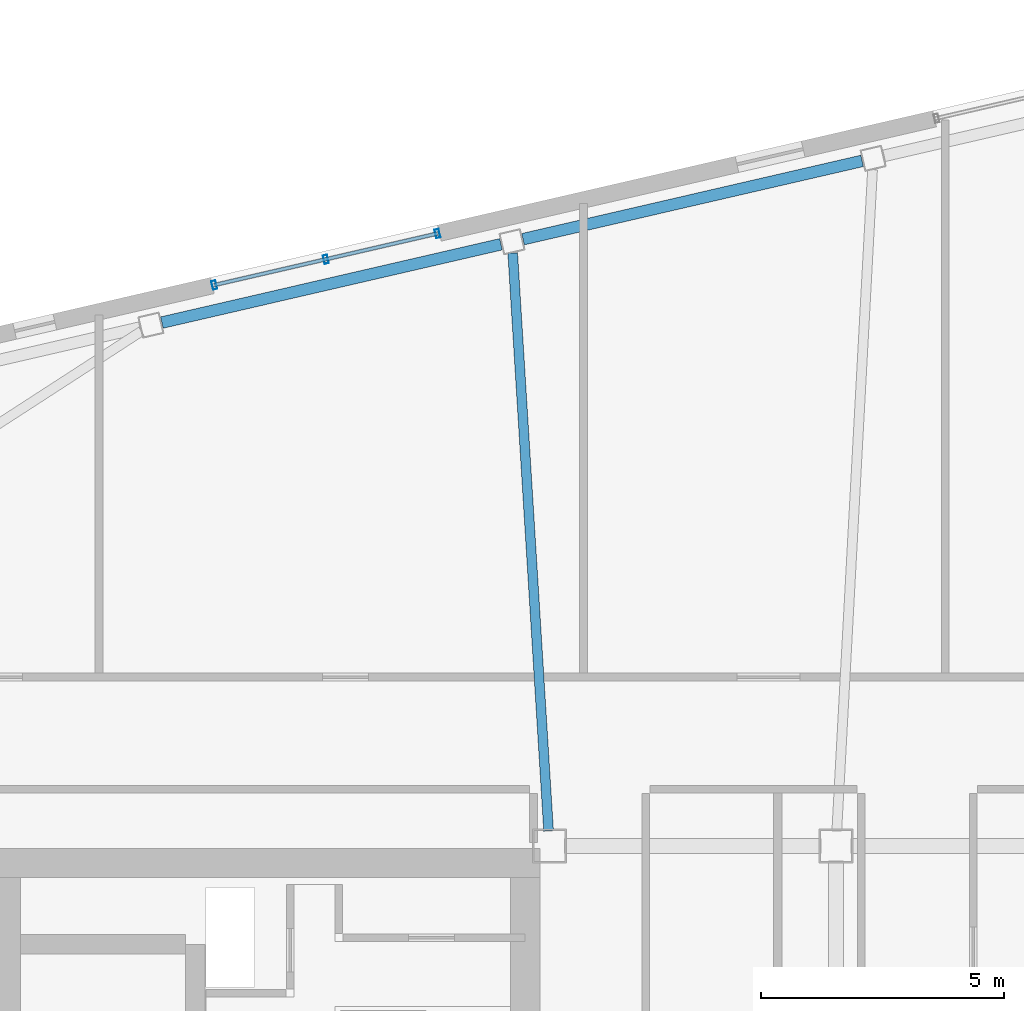
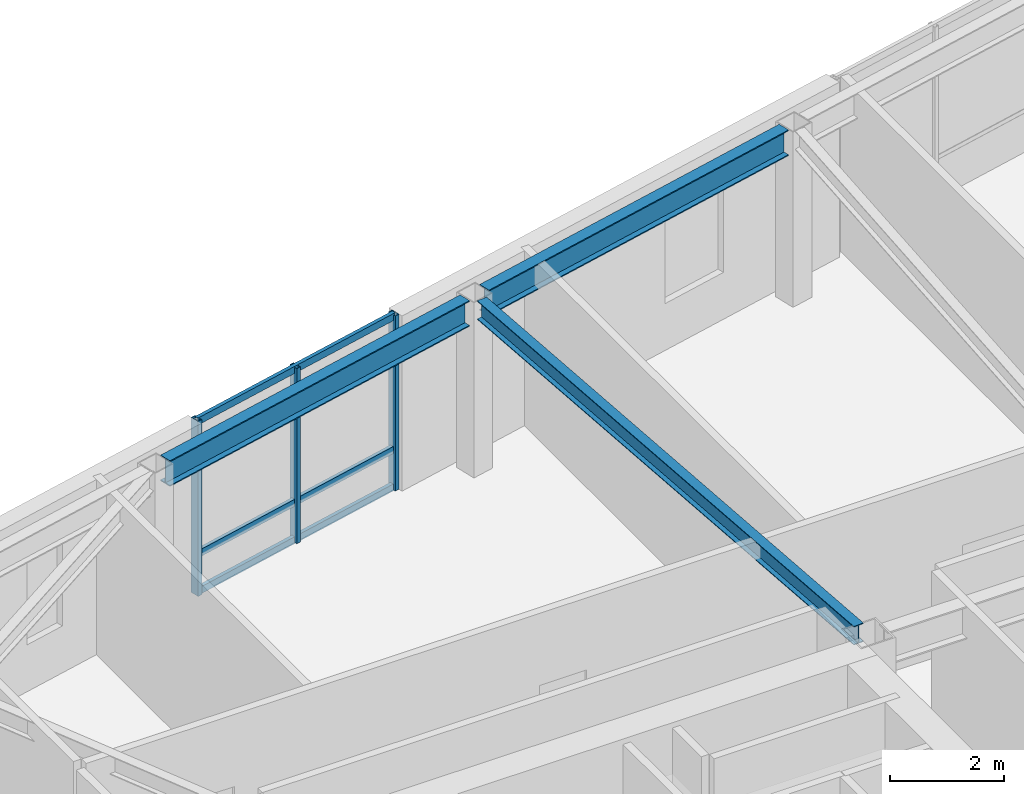
# One storey, part 11 of 23: 6 members, 3 beams, 1 element without a shape of its own.
"""IFC4 building model written with IfcOpenShell, lengths in metres."""

from ifc_helpers import new_model, si_unit, direction, frame, origin, origin_2d, place, context, subcontext, project, spatial, hollow_rectangle, i_section, extrude, material, layer, layer_set, material_profile, profile_set, type_object, element, aggregate, save


model = new_model("IFC4")

# Units and contexts
model_context = context("Model", 3, precision=1e-05, world=origin(), true_north=direction((0.0, 1.0)))
body_context = subcontext(model_context, "Body", "Model", "MODEL_VIEW")
ifc_project = project(units=[si_unit("LENGTHUNIT", "METRE"), si_unit("AREAUNIT", "SQUARE_METRE"), si_unit("VOLUMEUNIT", "CUBIC_METRE"), si_unit("PLANEANGLEUNIT", "RADIAN"), si_unit("MASSUNIT", "GRAM", prefix="KILO")], contexts=[model_context])

# Site, building, storey
site_placement = place(None, origin())
site = spatial("IfcSite", under=ifc_project, at=site_placement, CompositionType="ELEMENT")
building_placement = place(site_placement, origin())
building = spatial("IfcBuilding", under=site, at=building_placement, Name="Tavrogorsk Clinical Tower", CompositionType="ELEMENT")
storey_placement = place(building_placement, frame((0.0, 0.0, 289.0)))
storey = spatial("IfcBuildingStorey", under=building, at=storey_placement, Name="L67", CompositionType="ELEMENT", Elevation=289.0)

# Curtain wall, members
ifc_material_1 = material(Name="Anodised aluminium and triple IGU glazing", Category="aluminium")
ifc_layer = layer(ifc_material_1, 0.179931640625)
ifc_layer_set = layer_set([ifc_layer], Name="Anodised aluminium and triple IGU glazing")
curtain_wall_type = type_object("IfcCurtainWallType", Name="CW2_NorthSlot", PredefinedType="NOTDEFINED", material=ifc_layer_set)
curtain_wall_placement = place(storey_placement, origin())
curtain_wall = element("IfcCurtainWall", 1, at=curtain_wall_placement, inside=storey, type_object=curtain_wall_type, Name="L67 Curtain Wall CW-L67-N-SLOT-1", PredefinedType="NOTDEFINED")
ifc_material_2 = material(Name="Anodised aluminium alloy AW-6060", Category="aluminium")
ifc_material_profile_1 = material_profile(ifc_material_2, hollow_rectangle(XDim=0.090087890625, YDim=0.179931640625, WallThickness=0.00634765625, at=origin_2d()), Name="RHS-180x90x6.3")
ifc_profile_set_1 = profile_set([ifc_material_profile_1], Name="Anodised aluminium alloy AW-6060")
member_type_1 = type_object("IfcMemberType", Name="CwMullion_180x90", PredefinedType="MULLION", material=ifc_profile_set_1)
member_1_placement = place(storey_placement, frame((-12.608154296875, 18.9658203125, 0.0), z_axis=(0.0, 0.0, 1.0), x_axis=(-0.974370057377, -0.224951086434, 0.0)))
member_1 = element("IfcMember", 2, at=member_1_placement, type_object=member_type_1, Name="CW-L67-N-SLOT-1 Mullion 1", PredefinedType="MULLION", context=body_context, shape_type="SweptSolid", body=[
    extrude(hollow_rectangle(XDim=0.090087890625, YDim=0.179931640625, WallThickness=0.00634765625, at=origin_2d()), origin(), (0.0, 0.0, 1.0), 3.739990234375),
])
member_2_placement = place(storey_placement, frame((-14.90673828125, 18.435302734375, 0.0), z_axis=(0.0, 0.0, 1.0), x_axis=(-0.974370057377, -0.224951086434, 0.0)))
member_2 = element("IfcMember", 3, at=member_2_placement, type_object=member_type_1, Name="CW-L67-N-SLOT-1 Mullion 2", PredefinedType="MULLION", context=body_context, shape_type="SweptSolid", body=[
    extrude(hollow_rectangle(XDim=0.090087890625, YDim=0.179931640625, WallThickness=0.00634765625, at=origin_2d()), origin(), (0.0, 0.0, 1.0), 3.739990234375),
])
member_3_placement = place(storey_placement, frame((-17.205322265625, 17.904541015625, 0.0), z_axis=(0.0, 0.0, 1.0), x_axis=(-0.974370057377, -0.224951086434, 0.0)))
member_3 = element("IfcMember", 4, at=member_3_placement, type_object=member_type_1, Name="CW-L67-N-SLOT-1 Mullion 3", PredefinedType="MULLION", context=body_context, shape_type="SweptSolid", body=[
    extrude(hollow_rectangle(XDim=0.090087890625, YDim=0.179931640625, WallThickness=0.00634765625, at=origin_2d()), origin(), (0.0, 0.0, 1.0), 3.739990234375),
])
ifc_material_3 = material(Name="Anodised aluminium alloy AW-6060", Category="aluminium")
ifc_material_profile_2 = material_profile(ifc_material_3, hollow_rectangle(XDim=0.074951171875, YDim=0.14990234375, WallThickness=0.0048828125, at=origin_2d()), Name="RHS-150x75x5")
ifc_profile_set_2 = profile_set([ifc_material_profile_2], Name="Anodised aluminium alloy AW-6060")
member_type_2 = type_object("IfcMemberType", Name="CwTransom_150x75", PredefinedType="USERDEFINED", material=ifc_profile_set_2)
member_4_placement = place(storey_placement, frame((-12.608154296875, 18.9658203125, 0.050048828125), z_axis=(-0.974372877948, -0.22493886885, 0.0), x_axis=(0.22493886885, -0.974372877948, 0.0)))
member_4 = element("IfcMember", 5, at=member_4_placement, type_object=member_type_2, Name="CW-L67-N-SLOT-1 Transom 1", ObjectType="TRANSOM", PredefinedType="USERDEFINED", context=body_context, shape_type="SweptSolid", body=[
    extrude(hollow_rectangle(XDim=0.074951171875, YDim=0.14990234375, WallThickness=0.0048828125, at=origin_2d()), origin(), (0.0, 0.0, 1.0), 4.718017578125),
])
member_5_placement = place(storey_placement, frame((-12.608154296875, 18.9658203125, 0.85009765625), z_axis=(-0.974372877948, -0.22493886885, 0.0), x_axis=(0.22493886885, -0.974372877948, 0.0)))
member_5 = element("IfcMember", 6, at=member_5_placement, type_object=member_type_2, Name="CW-L67-N-SLOT-1 Transom 2", ObjectType="TRANSOM", PredefinedType="USERDEFINED", context=body_context, shape_type="SweptSolid", body=[
    extrude(hollow_rectangle(XDim=0.074951171875, YDim=0.14990234375, WallThickness=0.0048828125, at=origin_2d()), origin(), (0.0, 0.0, 1.0), 4.718017578125),
])
member_6_placement = place(storey_placement, frame((-12.608154296875, 18.9658203125, 3.68994140625), z_axis=(-0.974372877948, -0.22493886885, 0.0), x_axis=(0.22493886885, -0.974372877948, 0.0)))
member_6 = element("IfcMember", 7, at=member_6_placement, type_object=member_type_2, Name="CW-L67-N-SLOT-1 Transom 3", ObjectType="TRANSOM", PredefinedType="USERDEFINED", context=body_context, shape_type="SweptSolid", body=[
    extrude(hollow_rectangle(XDim=0.074951171875, YDim=0.14990234375, WallThickness=0.0048828125, at=origin_2d()), origin(), (0.0, 0.0, 1.0), 4.718017578125),
])
aggregate(curtain_wall, [member_1, member_2, member_3, member_4, member_5, member_6])

# Beams
ifc_material_4 = material(Name="Structural steel S355", Category="steel")
ifc_material_profile_3 = material_profile(ifc_material_4, i_section(OverallWidth=0.199951171875, OverallDepth=0.39990234375, WebThickness=0.010498046875, FlangeThickness=0.01611328125, at=origin_2d()), Name="B-400x200x10.5x16")
ifc_profile_set_3 = profile_set([ifc_material_profile_3], Name="Structural steel S355")
beam_type_1 = type_object("IfcBeamType", Name="FloorBeam_B400", PredefinedType="BEAM", material=ifc_profile_set_3)
beam_placement = place(storey_placement, frame((-10.319091796875, 6.659423828125, 3.5400390625), z_axis=(-0.06197688672, 0.998077584916, 0.0), x_axis=(-0.998077584916, -0.06197688672, 0.0)))
element("IfcBeam", 8, at=beam_placement, inside=storey, type_object=beam_type_1, Name="L67 Radial Floor Beam N5", PredefinedType="BEAM", context=body_context, shape_type="SweptSolid", body=[
    extrude(i_section(OverallWidth=0.199951171875, OverallDepth=0.39990234375, WebThickness=0.010498046875, FlangeThickness=0.01611328125, at=origin_2d()), origin(), (0.0, 0.0, 1.0), 11.927978515625),
])
ifc_material_5 = material(Name="Structural steel S390", Category="steel")
ifc_material_profile_4 = material_profile(ifc_material_5, i_section(OverallWidth=0.239990234375, OverallDepth=0.550048828125, WebThickness=0.013916015625, FlangeThickness=0.02197265625, at=origin_2d()), Name="B-550x240x14x22")
ifc_profile_set_4 = profile_set([ifc_material_profile_4], Name="Structural steel S390")
beam_type_2 = type_object("IfcBeamType", Name="SpandrelBeam_B550", PredefinedType="SPANDREL", material=ifc_profile_set_4)
for number, where, z_axis, x_axis, name in (
    (9, (-3.861328125, 20.4619140625, 3.465087890625), (-0.974367655018, -0.224961491939, 0.0), (0.224961491939, -0.974367655018, 0.0), "L67 Perimeter Spandrel N4-N5"),
    (10, (-11.2998046875, 18.74462890625, 3.465087890625), (-0.974367655018, -0.224961491939, 0.0), (0.224961491939, -0.974367655018, 0.0), "L67 Perimeter Spandrel N5-N6"),
):
    element("IfcBeam", number, at=place(storey_placement, frame(where, z_axis=z_axis, x_axis=x_axis)), inside=storey, type_object=beam_type_2, Name=name, PredefinedType="SPANDREL", context=body_context, shape_type="SweptSolid", body=[
        extrude(i_section(OverallWidth=0.239990234375, OverallDepth=0.550048828125, WebThickness=0.013916015625, FlangeThickness=0.02197265625, at=origin_2d()), origin(), (0.0, 0.0, 1.0), 7.168212890625),
    ])

save(model, "model.ifc")
